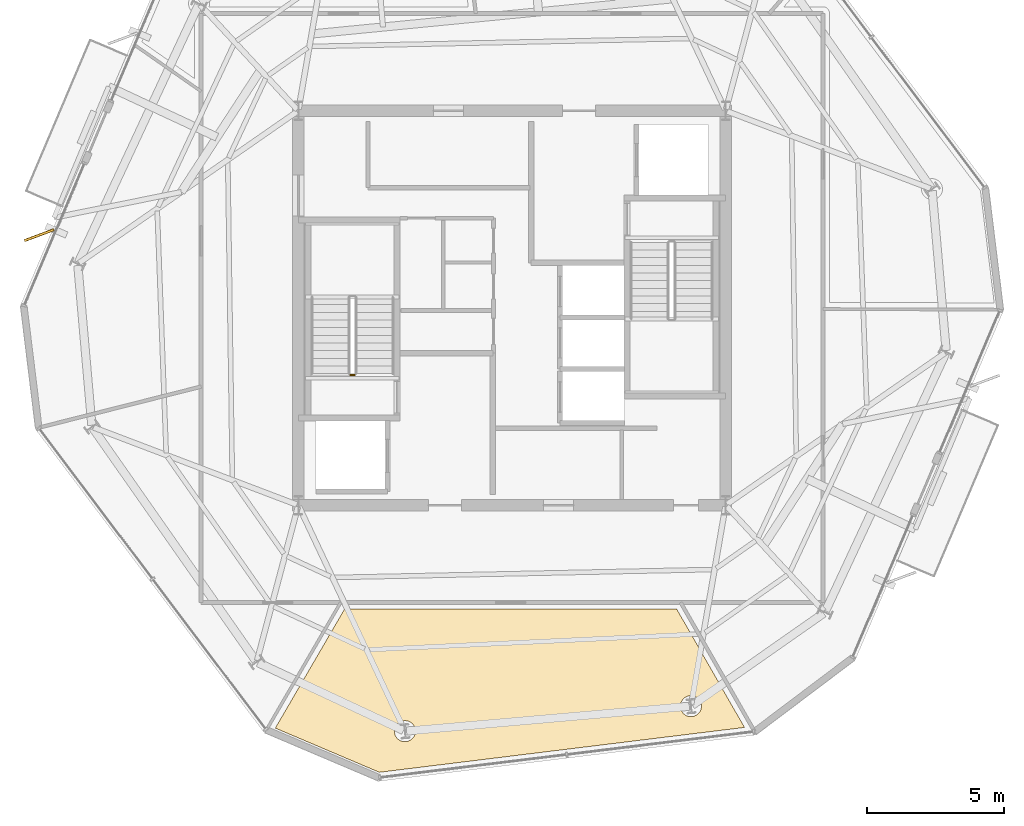
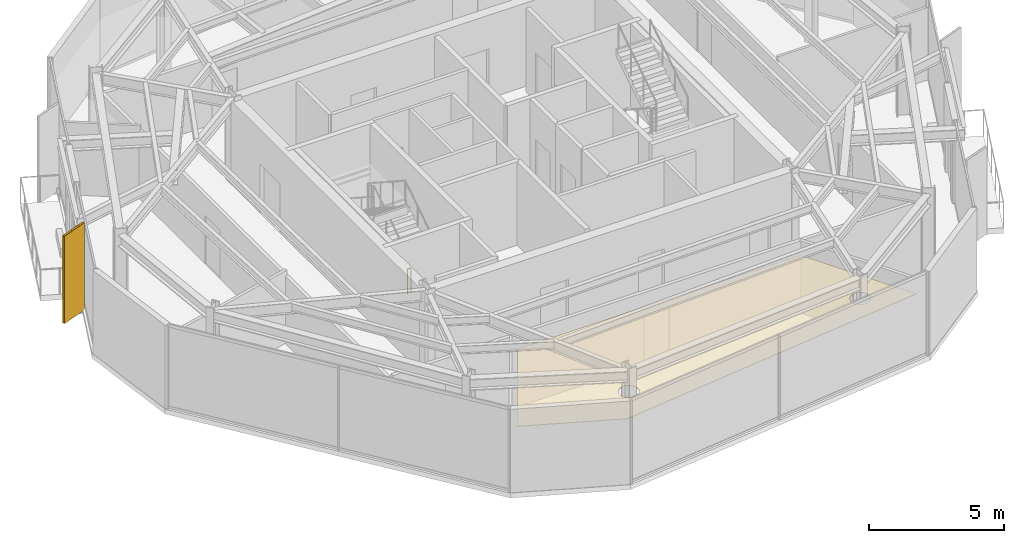
# One storey, part 9 of 11: 2 coverings, 1 railing, 1 shading device.
"""IFC4 building model written with IfcOpenShell, lengths in metres."""

from ifc_helpers import new_model, si_unit, direction, frame, origin, origin_2d, place, context, subcontext, project, spatial, polyline, rectangle, circle, outline, extrude, material, layer, layer_set, type_object, element, save


model = new_model("IFC4")

# Units and contexts
model_context = context("Model", 3, precision=1e-05, world=origin(), true_north=direction((0.0, 1.0)))
body_context = subcontext(model_context, "Body", "Model", "MODEL_VIEW")
ifc_project = project(units=[si_unit("LENGTHUNIT", "METRE"), si_unit("AREAUNIT", "SQUARE_METRE"), si_unit("VOLUMEUNIT", "CUBIC_METRE"), si_unit("PLANEANGLEUNIT", "RADIAN"), si_unit("MASSUNIT", "GRAM", prefix="KILO")], contexts=[model_context])

# Site, building, storey
site_placement = place(None, origin())
site = spatial("IfcSite", under=ifc_project, at=site_placement, CompositionType="ELEMENT")
building_placement = place(site_placement, origin())
building = spatial("IfcBuilding", under=site, at=building_placement, Name="Kranzbogen Civic Tower", CompositionType="ELEMENT")
storey_placement = place(building_placement, frame((0.0, 0.0, 294.199951171875)))
storey = spatial("IfcBuildingStorey", under=building, at=storey_placement, Name="L71", CompositionType="ELEMENT", Elevation=294.199951171875)

# Covering
ifc_material_1 = material(Name="Pale Anodised Aluminium", Category="aluminium")
ifc_layer_1 = layer(ifc_material_1, 0.02490234375, Name="Pale Anodised Aluminium")
ifc_layer_set_1 = layer_set([ifc_layer_1], Name="Pale Anodised Aluminium")
covering_type_1 = type_object("IfcCoveringType", Name="Anodised Aluminium Vertical Fin Cladding 25 mm", PredefinedType="CLADDING", material=ifc_layer_set_1)
covering_1_placement = place(storey_placement, frame((7.740966796875, 27.659912109375, -0.139892578125), z_axis=(0.0, 0.0, 1.0), x_axis=(-0.937300239397, -0.348522970874, 0.0)))
element("IfcCovering", 1, at=covering_1_placement, inside=storey, type_object=covering_type_1, Name="L71 vertical fin pale-metal cladding F2-4", PredefinedType="CLADDING", context=body_context, shape_type="SweptSolid", body=[
    extrude(rectangle(XDim=1.14990234375, YDim=0.094970703125, at=origin_2d()), origin(), (0.0, 0.0, 1.0), 3.9599609375),
])

# Railing
ifc_material_2 = material(Name="Steel S355", Category="steel")
railing_type = type_object("IfcRailingType", Name="Internal Stair and Void Steel Guardrail 1150", PredefinedType="GUARDRAIL", material=ifc_material_2)
railing_placement = place(storey_placement, frame((19.25, 22.550048828125, 0.0)))
element("IfcRailing", 2, at=railing_placement, inside=storey, type_object=railing_type, Name="L71 ST-T1 stair guard 4", PredefinedType="GUARDRAIL", context=body_context, shape_type="SweptSolid", body=[
    extrude(circle(Radius=0.02392578125, at=origin_2d()), frame((0.0, 0.0, 1.1259765625), z_axis=(-1.0, 0.0, 0.0), x_axis=(0.0, -1.0, 0.0)), (0.0, 0.0, 1.0), 0.14990234375),
    extrude(circle(Radius=0.02099609375, at=origin_2d()), origin(), (0.0, 0.0, 1.0), 1.101806640625),
    extrude(circle(Radius=0.02099609375, at=origin_2d()), frame((-0.14990234375, 0.0, 0.0)), (0.0, 0.0, 1.0), 1.101806640625),
])

# Shading device
shading_device_type = type_object("IfcShadingDeviceType", Name="Pale Anodised Aluminium Crown Fin 1150x75", PredefinedType="USERDEFINED", material=ifc_material_1)
shading_device_placement = place(storey_placement, frame((7.740966796875, 27.659912109375, -0.139892578125), z_axis=(0.0, 0.0, 1.0), x_axis=(-0.937300239397, -0.348522970874, 0.0)))
element("IfcShadingDevice", 3, at=shading_device_placement, inside=storey, type_object=shading_device_type, Name="L71 vertical exterior shading fin F2-4", ObjectType="FIN", PredefinedType="USERDEFINED", context=body_context, shape_type="SweptSolid", body=[
    extrude(rectangle(XDim=1.14990234375, YDim=0.074951171875, at=origin_2d()), origin(), (0.0, 0.0, 1.0), 3.9599609375),
])

# Covering
ifc_material_3 = material(Name="Perforated Acoustic Gypsum Ceiling")
ifc_layer_2 = layer(ifc_material_3, 0.02490234375, Name="Perforated Acoustic Gypsum Ceiling")
ifc_layer_set_2 = layer_set([ifc_layer_2], Name="Perforated Acoustic Gypsum Ceiling")
covering_type_2 = type_object("IfcCoveringType", Name="Perforated Acoustic Mineral Ceiling Tile 25 mm", PredefinedType="CEILING", material=ifc_layer_set_2)
covering_2_placement = place(storey_placement, frame((0.0, 0.0, 2.75)))
element("IfcCovering", 4, at=covering_2_placement, inside=storey, type_object=covering_type_2, Name="L71 Visitor Concierge Foyer acoustic ceiling", PredefinedType="CEILING", context=body_context, shape_type="SweptSolid", body=[
    extrude(outline(polyline([(16.35791015625, 9.662109375), (18.885009765625, 14.0048828125), (31.014892578125, 14.0048828125), (33.489013671875, 9.68701171875), (20.155029296875, 8.049072265625), (16.35791015625, 9.662109375)]), holes=[polyline([(21.445068359375, 9.403076171875), (21.428955078125, 9.368896484375), (21.409912109375, 9.3369140625), (21.386962890625, 9.306884765625), (21.362060546875, 9.279052734375), (21.333984375, 9.25390625), (21.303955078125, 9.23095703125), (21.27197265625, 9.2119140625), (21.238037109375, 9.196044921875), (21.201904296875, 9.18310546875), (21.166015625, 9.174072265625), (21.12890625, 9.16796875), (21.091064453125, 9.1669921875), (21.052978515625, 9.16796875), (21.01611328125, 9.174072265625), (20.97998046875, 9.18310546875), (20.944091796875, 9.196044921875), (20.909912109375, 9.2119140625), (20.8779296875, 9.23095703125), (20.847900390625, 9.25390625), (20.820068359375, 9.279052734375), (20.794921875, 9.306884765625), (20.77197265625, 9.3369140625), (20.7529296875, 9.368896484375), (20.737060546875, 9.403076171875), (20.72412109375, 9.43896484375), (20.715087890625, 9.47509765625), (20.708984375, 9.511962890625), (20.7080078125, 9.550048828125), (20.708984375, 9.587890625), (20.715087890625, 9.625), (20.72412109375, 9.660888671875), (20.737060546875, 9.697021484375), (20.7529296875, 9.73095703125), (20.77197265625, 9.762939453125), (20.794921875, 9.79296875), (20.820068359375, 9.821044921875), (20.847900390625, 9.845947265625), (20.8779296875, 9.868896484375), (20.909912109375, 9.887939453125), (20.944091796875, 9.904052734375), (20.97998046875, 9.9169921875), (21.01611328125, 9.926025390625), (21.052978515625, 9.931884765625), (21.091064453125, 9.93310546875), (21.12890625, 9.931884765625), (21.166015625, 9.926025390625), (21.201904296875, 9.9169921875), (21.238037109375, 9.904052734375), (21.27197265625, 9.887939453125), (21.303955078125, 9.868896484375), (21.333984375, 9.845947265625), (21.362060546875, 9.821044921875), (21.386962890625, 9.79296875), (21.409912109375, 9.762939453125), (21.428955078125, 9.73095703125), (21.445068359375, 9.697021484375), (21.4580078125, 9.660888671875), (21.467041015625, 9.625), (21.472900390625, 9.587890625), (21.47412109375, 9.550048828125), (21.472900390625, 9.511962890625), (21.467041015625, 9.47509765625), (21.4580078125, 9.43896484375), (21.445068359375, 9.403076171875)]), polyline([(31.886962890625, 10.31689453125), (31.87109375, 10.282958984375), (31.85205078125, 10.2509765625), (31.8291015625, 10.220947265625), (31.803955078125, 10.193115234375), (31.77587890625, 10.16796875), (31.74609375, 10.14501953125), (31.714111328125, 10.1259765625), (31.679931640625, 10.110107421875), (31.64404296875, 10.096923828125), (31.60791015625, 10.087890625), (31.571044921875, 10.08203125), (31.532958984375, 10.0810546875), (31.4951171875, 10.08203125), (31.4580078125, 10.087890625), (31.422119140625, 10.096923828125), (31.385986328125, 10.110107421875), (31.35205078125, 10.1259765625), (31.320068359375, 10.14501953125), (31.2900390625, 10.16796875), (31.261962890625, 10.193115234375), (31.237060546875, 10.220947265625), (31.214111328125, 10.2509765625), (31.195068359375, 10.282958984375), (31.178955078125, 10.31689453125), (31.166015625, 10.35302734375), (31.156982421875, 10.388916015625), (31.15087890625, 10.426025390625), (31.14990234375, 10.464111328125), (31.15087890625, 10.501953125), (31.156982421875, 10.5390625), (31.166015625, 10.574951171875), (31.178955078125, 10.611083984375), (31.195068359375, 10.64501953125), (31.214111328125, 10.677001953125), (31.237060546875, 10.70703125), (31.261962890625, 10.735107421875), (31.2900390625, 10.760009765625), (31.320068359375, 10.782958984375), (31.35205078125, 10.802001953125), (31.385986328125, 10.818115234375), (31.422119140625, 10.8310546875), (31.4580078125, 10.840087890625), (31.4951171875, 10.845947265625), (31.532958984375, 10.846923828125), (31.571044921875, 10.845947265625), (31.60791015625, 10.840087890625), (31.64404296875, 10.8310546875), (31.679931640625, 10.818115234375), (31.714111328125, 10.802001953125), (31.74609375, 10.782958984375), (31.77587890625, 10.760009765625), (31.803955078125, 10.735107421875), (31.8291015625, 10.70703125), (31.85205078125, 10.677001953125), (31.87109375, 10.64501953125), (31.886962890625, 10.611083984375), (31.89990234375, 10.574951171875), (31.908935546875, 10.5390625), (31.9150390625, 10.501953125), (31.916015625, 10.464111328125), (31.9150390625, 10.426025390625), (31.908935546875, 10.388916015625), (31.89990234375, 10.35302734375), (31.886962890625, 10.31689453125)])]), origin(), (0.0, 0.0, 1.0), 0.025146484375),
])

save(model, "model.ifc")
